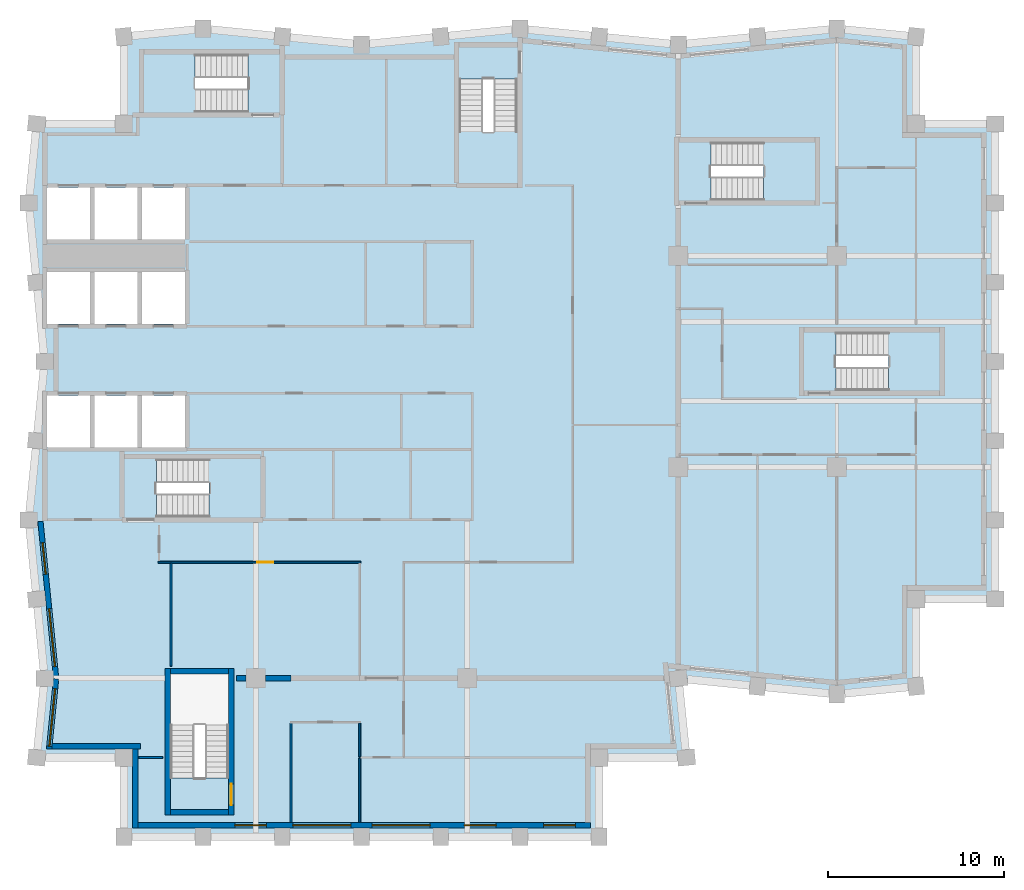
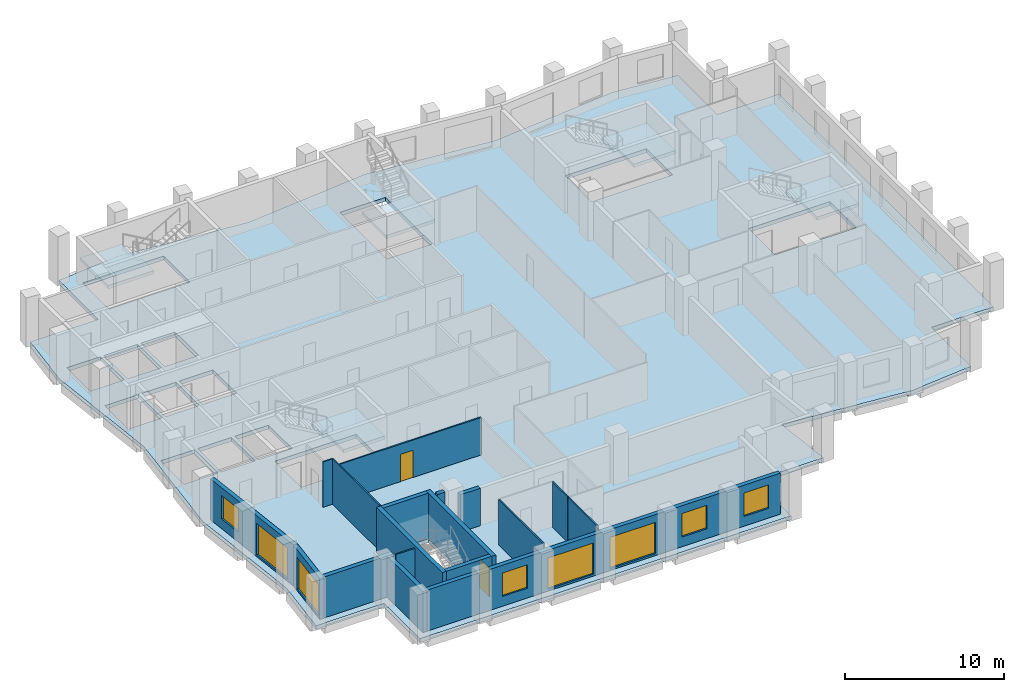
# One storey, part 2 of 8: 18 walls, 8 windows, 6 slabs, 2 doors, 10 openings, 5 elements without a shape of their own.
"""IFC4 building model written with IfcOpenShell, lengths in metres."""

from ifc_helpers import new_model, si_unit, direction, frame, frame_2d, origin, place, context, subcontext, project, spatial, polyline, rectangle, outline, extrude, material, layer, layer_set, type_object, element, fill, aggregate, save


model = new_model("IFC4")

# Units and contexts
model_context = context("Model", 3, precision=1e-05, world=origin(), true_north=direction((0.0, 1.0)))
body_context = subcontext(model_context, "Body", "Model", "MODEL_VIEW")
ifc_project = project(units=[si_unit("LENGTHUNIT", "METRE"), si_unit("AREAUNIT", "SQUARE_METRE"), si_unit("VOLUMEUNIT", "CUBIC_METRE"), si_unit("PLANEANGLEUNIT", "RADIAN"), si_unit("MASSUNIT", "GRAM", prefix="KILO")], contexts=[model_context])

# Site, building, storey
site_placement = place(None, origin())
site = spatial("IfcSite", under=ifc_project, at=site_placement, CompositionType="ELEMENT")
building_placement = place(site_placement, origin())
building = spatial("IfcBuilding", under=site, at=building_placement, Name="Brondeck Convention Tower", CompositionType="ELEMENT")
storey_placement = place(building_placement, frame((0.0, 0.0, 210.199951171875)))
storey = spatial("IfcBuildingStorey", under=building, at=storey_placement, Name="L51", CompositionType="ELEMENT", Elevation=210.199951171875)

# Slab
ifc_material_1 = material(Name="Concrete C35/45", Category="concrete")
ifc_layer_1 = layer(ifc_material_1, 0.300048828125)
ifc_layer_set_1 = layer_set([ifc_layer_1], Name="Composite floor slab 300")
slab_type_1 = type_object("IfcSlabType", Name="Composite floor slab 300", PredefinedType="FLOOR", material=ifc_layer_set_1)
slab_1_placement = place(storey_placement, frame((0.0, 0.0, -0.300048828125)))
element("IfcSlab", 1, at=slab_1_placement, inside=storey, type_object=slab_type_1, Name="STR-SL-L51", PredefinedType="FLOOR", context=body_context, shape_type="SweptSolid", body=[
    extrude(outline(polyline([(4.5, 22.5), (-0.449951171875, 22.5), (0.0, 27.0), (-0.89990234375, 36.0), (0.0, 45.0), (-0.89990234375, 54.0), (-0.449951171875, 58.5), (4.5, 58.5), (4.5, 63.449951171875), (9.0, 63.89990234375), (18.0, 63.0), (27.0, 63.89990234375), (36.0, 63.0), (45.0, 63.89990234375), (49.5, 63.449951171875), (49.5, 58.5), (54.0, 58.5), (54.0, 31.5), (49.5, 31.5), (49.5, 26.550048828125), (45.0, 26.10009765625), (36.0, 27.0), (36.449951171875, 22.5), (31.5, 22.5), (31.5, 18.0), (4.5, 18.0), (4.5, 22.5)]), holes=[polyline([(2.574951171875, 43.074951171875), (0.125, 43.074951171875), (0.125, 40.125), (2.574951171875, 40.125), (2.574951171875, 43.074951171875)]), polyline([(5.27490234375, 40.125), (5.27490234375, 43.074951171875), (2.824951171875, 43.074951171875), (2.824951171875, 40.125), (5.27490234375, 40.125)]), polyline([(7.97509765625, 40.125), (7.97509765625, 43.074951171875), (5.52490234375, 43.074951171875), (5.52490234375, 40.125), (7.97509765625, 40.125)]), polyline([(2.574951171875, 47.125), (2.574951171875, 50.074951171875), (0.125, 50.074951171875), (0.125, 47.125), (2.574951171875, 47.125)]), polyline([(5.27490234375, 47.125), (5.27490234375, 50.074951171875), (2.824951171875, 50.074951171875), (2.824951171875, 47.125), (5.27490234375, 47.125)]), polyline([(7.97509765625, 47.125), (7.97509765625, 50.074951171875), (5.52490234375, 50.074951171875), (5.52490234375, 47.125), (7.97509765625, 47.125)]), polyline([(2.574951171875, 51.925048828125), (2.574951171875, 54.875), (0.125, 54.875), (0.125, 51.925048828125), (2.574951171875, 51.925048828125)]), polyline([(5.27490234375, 51.925048828125), (5.27490234375, 54.875), (2.824951171875, 54.875), (2.824951171875, 51.925048828125), (5.27490234375, 51.925048828125)]), polyline([(10.447998046875, 27.248046875), (7.152099609375, 27.248046875), (7.152099609375, 21.35205078125), (10.447998046875, 21.35205078125), (10.447998046875, 27.248046875)]), polyline([(12.248046875, 36.152099609375), (12.248046875, 39.447998046875), (6.35205078125, 39.447998046875), (6.35205078125, 36.152099609375), (12.248046875, 36.152099609375)]), polyline([(50.847900390625, 43.35205078125), (50.847900390625, 46.64794921875), (44.951904296875, 46.64794921875), (44.951904296875, 43.35205078125), (50.847900390625, 43.35205078125)]), polyline([(7.97509765625, 51.925048828125), (7.97509765625, 54.875), (5.52490234375, 54.875), (5.52490234375, 51.925048828125), (7.97509765625, 51.925048828125)]), polyline([(43.748046875, 54.152099609375), (43.748046875, 57.447998046875), (37.85205078125, 57.447998046875), (37.85205078125, 54.152099609375), (43.748046875, 54.152099609375)]), polyline([(23.552001953125, 55.152099609375), (26.847900390625, 55.152099609375), (26.847900390625, 61.048095703125), (23.552001953125, 61.048095703125), (23.552001953125, 55.152099609375)]), polyline([(5.652099609375, 62.447998046875), (5.652099609375, 59.152099609375), (11.548095703125, 59.152099609375), (11.548095703125, 62.447998046875), (5.652099609375, 62.447998046875)])]), origin(), (0.0, 0.0, 1.0), 0.300048828125),
])

# Stair, slab
ifc_material_2 = material(Name="Precast concrete C50/60", Category="concrete")
stair_type = type_object("IfcStairType", Name="Core stair 22 risers 172.73 mm riser 300 mm going 1350 wide", PredefinedType="HALF_TURN_STAIR", material=ifc_material_2)
stair_1_placement = place(storey_placement, origin())
stair_1 = element("IfcStair", 2, at=stair_1_placement, inside=storey, type_object=stair_type, Name="ST-1 L51 stair", PredefinedType="HALF_TURN_STAIR")
ifc_layer_2 = layer(ifc_material_2, 0.25)
ifc_layer_set_2 = layer_set([ifc_layer_2], Name="Core stair landing 250 Precast concrete C50/60")
slab_type_2 = type_object("IfcSlabType", Name="Core stair landing 250 Precast concrete C50/60", PredefinedType="LANDING", material=ifc_layer_set_2)
slab_2_placement = place(storey_placement, frame((0.0, 0.0, 1.650146484375)))
slab_2 = element("IfcSlab", 3, at=slab_2_placement, type_object=slab_type_2, Name="ST-1 landing 1", PredefinedType="LANDING", context=body_context, shape_type="SweptSolid", body=[
    extrude(outline(polyline([(9.347900390625, 37.5), (9.35009765625, 37.5), (9.35009765625, 38.10009765625), (9.050048828125, 38.10009765625), (9.050048828125, 39.570068359375), (12.3701171875, 39.570068359375), (12.3701171875, 36.030029296875), (9.347900390625, 36.030029296875), (9.347900390625, 37.5)])), origin(), (0.0, 0.0, 1.0), 0.25),
])
aggregate(stair_1, [slab_2])

stair_2_placement = place(storey_placement, origin())
stair_2 = element("IfcStair", 4, at=stair_2_placement, inside=storey, type_object=stair_type, Name="ST-2 L51 stair", PredefinedType="HALF_TURN_STAIR")
slab_3_placement = place(storey_placement, frame((0.0, 0.0, 1.650146484375)))
slab_3 = element("IfcSlab", 5, at=slab_3_placement, type_object=slab_type_2, Name="ST-2 landing 1", PredefinedType="LANDING", context=body_context, shape_type="SweptSolid", body=[
    extrude(outline(polyline([(23.429931640625, 58.052001953125), (24.89990234375, 58.052001953125), (24.89990234375, 58.050048828125), (25.5, 58.050048828125), (25.5, 58.35009765625), (26.969970703125, 58.35009765625), (26.969970703125, 55.030029296875), (23.429931640625, 55.030029296875), (23.429931640625, 58.052001953125)])), origin(), (0.0, 0.0, 1.0), 0.25),
])
aggregate(stair_2, [slab_3])

stair_3_placement = place(storey_placement, origin())
stair_3 = element("IfcStair", 6, at=stair_3_placement, inside=storey, type_object=stair_type, Name="ST-3 L51 stair", PredefinedType="HALF_TURN_STAIR")
slab_4_placement = place(storey_placement, frame((0.0, 0.0, 1.650146484375)))
slab_4 = element("IfcSlab", 7, at=slab_4_placement, type_object=slab_type_2, Name="ST-3 landing 1", PredefinedType="LANDING", context=body_context, shape_type="SweptSolid", body=[
    extrude(outline(polyline([(8.85009765625, 60.5), (8.85009765625, 59.030029296875), (5.530029296875, 59.030029296875), (5.530029296875, 62.570068359375), (8.552001953125, 62.570068359375), (8.552001953125, 61.10009765625), (8.550048828125, 61.10009765625), (8.550048828125, 60.5), (8.85009765625, 60.5)])), origin(), (0.0, 0.0, 1.0), 0.25),
])
aggregate(stair_3, [slab_4])

stair_4_placement = place(storey_placement, origin())
stair_4 = element("IfcStair", 8, at=stair_4_placement, inside=storey, type_object=stair_type, Name="ST-AE L51 stair", PredefinedType="HALF_TURN_STAIR")
slab_5_placement = place(storey_placement, frame((0.0, 0.0, 1.650146484375)))
slab_5 = element("IfcSlab", 9, at=slab_5_placement, type_object=slab_type_2, Name="ST-AE landing 1", PredefinedType="LANDING", context=body_context, shape_type="SweptSolid", body=[
    extrude(outline(polyline([(40.847900390625, 55.5), (40.85009765625, 55.5), (40.85009765625, 56.10009765625), (40.550048828125, 56.10009765625), (40.550048828125, 57.570068359375), (43.8701171875, 57.570068359375), (43.8701171875, 54.030029296875), (40.847900390625, 54.030029296875), (40.847900390625, 55.5)])), origin(), (0.0, 0.0, 1.0), 0.25),
])
aggregate(stair_4, [slab_5])

stair_5_placement = place(storey_placement, origin())
stair_5 = element("IfcStair", 10, at=stair_5_placement, inside=storey, type_object=stair_type, Name="ST-AF L51 stair", PredefinedType="HALF_TURN_STAIR")
slab_6_placement = place(storey_placement, frame((0.0, 0.0, 1.650146484375)))
slab_6 = element("IfcSlab", 11, at=slab_6_placement, type_object=slab_type_2, Name="ST-AF landing 1", PredefinedType="LANDING", context=body_context, shape_type="SweptSolid", body=[
    extrude(outline(polyline([(47.947998046875, 44.699951171875), (47.949951171875, 44.699951171875), (47.949951171875, 45.300048828125), (47.64990234375, 45.300048828125), (47.64990234375, 46.77001953125), (50.969970703125, 46.77001953125), (50.969970703125, 43.22998046875), (47.947998046875, 43.22998046875), (47.947998046875, 44.699951171875)])), origin(), (0.0, 0.0, 1.0), 0.25),
])
aggregate(stair_5, [slab_6])

# Walls
ifc_material_3 = material(Name="Concrete compartment wall C30/37", Category="concrete")
ifc_layer_3 = layer(ifc_material_3, 0.300048828125)
ifc_layer_set_3 = layer_set([ifc_layer_3], Name="Compartment wall 300")
wall_type_1 = type_object("IfcWallType", Name="Compartment wall 300", PredefinedType="PARTITIONING", material=ifc_layer_set_3)
wall_1_placement = place(storey_placement, frame((10.89990234375, 27.0, 0.0), z_axis=(0.0, 0.0, 1.0), x_axis=(1.0, 0.0, 0.0)))
element("IfcWall", 12, at=wall_1_placement, inside=storey, type_object=wall_type_1, Name="FLR-L51-W013", PredefinedType="PARTITIONING", context=body_context, shape_type="SweptSolid", body=[
    extrude(rectangle(XDim=0.545166015625, YDim=0.300048828125, at=frame_2d((0.2724609375, 0.0))), origin(), (0.0, 0.0, 1.0), 3.47998046875),
])
wall_2_placement = place(storey_placement, frame((12.554931640625, 27.0, 0.0), z_axis=(0.0, 0.0, 1.0), x_axis=(1.0, 0.0, 0.0)))
element("IfcWall", 13, at=wall_2_placement, inside=storey, type_object=wall_type_1, Name="FLR-L51-W014", PredefinedType="PARTITIONING", context=body_context, shape_type="SweptSolid", body=[
    extrude(rectangle(XDim=1.445068359375, YDim=0.300048828125, at=frame_2d((0.72265625, 0.0))), origin(), (0.0, 0.0, 1.0), 2.880126953125),
])

# Wall, openings, windows
ifc_material_4 = material(Name="Precast concrete C50/60 bronze finish", Category="concrete")
ifc_layer_4 = layer(ifc_material_4, 0.070068359375, Name="Bronze precast facing")
ifc_material_5 = material(Name="Mineral wool")
ifc_layer_5 = layer(ifc_material_5, 0.159912109375, Name="Insulation")
ifc_layer_6 = layer(ifc_material_1, 0.070068359375, Name="Backing")
ifc_layer_set_4 = layer_set([ifc_layer_4, ifc_layer_5, ifc_layer_6], Name="External infill wall, precast concrete C50/60 bronze facing")
wall_type_2 = type_object("IfcWallType", Name="External infill wall, precast concrete C50/60 bronze facing", PredefinedType="SOLIDWALL", material=ifc_layer_set_4)
wall_3_placement = place(storey_placement, frame((31.0, 18.64990234375, 0.0), z_axis=(0.0, 0.0, 1.0), x_axis=(-1.0, 0.0, 0.0)))
wall_3 = element("IfcWall", 14, at=wall_3_placement, inside=storey, type_object=wall_type_2, Name="ENV-EW-L51-P2-B-S18-01", PredefinedType="SOLIDWALL", context=body_context, shape_type="SweptSolid", body=[
    extrude(rectangle(XDim=25.699951171875, YDim=0.300048828125, at=frame_2d((12.85009765625, 0.0))), origin(), (0.0, 0.0, 1.0), 3.150146484375),
])
opening_1_placement = place(wall_3_placement, frame((0.85009765625, 0.0, 0.75)))
opening_1 = element("IfcOpeningElement", 15, at=opening_1_placement, cuts=wall_3, Name="Opening W10", PredefinedType="OPENING", context=body_context, shape_type="SweptSolid", body=[
    extrude(rectangle(XDim=1.800048828125, YDim=1.800048828125, at=frame_2d((0.89990234375, 0.89990234375))), frame((0.0, 0.159912109375, 0.0), z_axis=(0.0, -1.0, 0.0), x_axis=(1.0, 0.0, 0.0)), (0.0, 0.0, 1.0), 0.320068359375),
])
opening_2_placement = place(wall_3_placement, frame((5.35009765625, 0.0, 0.75)))
opening_2 = element("IfcOpeningElement", 16, at=opening_2_placement, cuts=wall_3, Name="Opening W10", PredefinedType="OPENING", context=body_context, shape_type="SweptSolid", body=[
    extrude(rectangle(XDim=1.800048828125, YDim=1.800048828125, at=frame_2d((0.89990234375, 0.89990234375))), frame((0.0, 0.159912109375, 0.0), z_axis=(0.0, -1.0, 0.0), x_axis=(1.0, 0.0, 0.0)), (0.0, 0.0, 1.0), 0.320068359375),
])
opening_3_placement = place(wall_3_placement, frame((9.10009765625, 0.0, 0.14990234375)))
opening_3 = element("IfcOpeningElement", 17, at=opening_3_placement, cuts=wall_3, Name="Opening W9", PredefinedType="OPENING", context=body_context, shape_type="SweptSolid", body=[
    extrude(rectangle(XDim=3.300048828125, YDim=2.39990234375, at=frame_2d((1.64990234375, 1.199951171875))), frame((0.0, 0.159912109375, 0.0), z_axis=(0.0, -1.0, 0.0), x_axis=(1.0, 0.0, 0.0)), (0.0, 0.0, 1.0), 0.320068359375),
])
opening_4_placement = place(wall_3_placement, frame((13.60009765625, 0.0, 0.14990234375)))
opening_4 = element("IfcOpeningElement", 18, at=opening_4_placement, cuts=wall_3, Name="Opening W9", PredefinedType="OPENING", context=body_context, shape_type="SweptSolid", body=[
    extrude(rectangle(XDim=3.300048828125, YDim=2.39990234375, at=frame_2d((1.64990234375, 1.199951171875))), frame((0.0, 0.159912109375, 0.0), z_axis=(0.0, -1.0, 0.0), x_axis=(1.0, 0.0, 0.0)), (0.0, 0.0, 1.0), 0.320068359375),
])
opening_5_placement = place(wall_3_placement, frame((18.39990234375, 0.0, 0.75)))
opening_5 = element("IfcOpeningElement", 19, at=opening_5_placement, cuts=wall_3, Name="Opening W10", PredefinedType="OPENING", context=body_context, shape_type="SweptSolid", body=[
    extrude(rectangle(XDim=1.800048828125, YDim=1.800048828125, at=frame_2d((0.89990234375, 0.89990234375))), frame((0.0, 0.159912109375, 0.0), z_axis=(0.0, -1.0, 0.0), x_axis=(1.0, 0.0, 0.0)), (0.0, 0.0, 1.0), 0.320068359375),
])
ifc_material_6 = material(Name="Bronze tinted double glazing", Category="glass")
window_type_1 = type_object("IfcWindowType", Name="Glazed flute window, bronze tinted", PartitioningType="SINGLE_PANEL", PredefinedType="WINDOW", material=ifc_material_6)
window_1_placement = place(opening_3_placement, origin())
window_1 = element("IfcWindow", 20, at=window_1_placement, inside=storey, type_object=window_type_1, Name="ENV-WN-L51-P2-B-S18-04", OverallHeight=2.39990234375, OverallWidth=3.300048828125, PartitioningType="SINGLE_PANEL", PredefinedType="WINDOW", context=body_context, shape_type="SweptSolid", body=[
    extrude(rectangle(XDim=3.300048828125, YDim=2.39990234375, at=frame_2d((1.64990234375, 1.199951171875))), frame((0.0, 0.030029296875, 0.0), z_axis=(0.0, -1.0, 0.0), x_axis=(1.0, 0.0, 0.0)), (0.0, 0.0, 1.0), 0.06005859375),
])
fill(opening_3, window_1)
window_2_placement = place(opening_4_placement, origin())
window_2 = element("IfcWindow", 21, at=window_2_placement, inside=storey, type_object=window_type_1, Name="ENV-WN-L51-P2-B-S18-03", OverallHeight=2.39990234375, OverallWidth=3.300048828125, PartitioningType="SINGLE_PANEL", PredefinedType="WINDOW", context=body_context, shape_type="SweptSolid", body=[
    extrude(rectangle(XDim=3.300048828125, YDim=2.39990234375, at=frame_2d((1.64990234375, 1.199951171875))), frame((0.0, 0.030029296875, 0.0), z_axis=(0.0, -1.0, 0.0), x_axis=(1.0, 0.0, 0.0)), (0.0, 0.0, 1.0), 0.06005859375),
])
fill(opening_4, window_2)
window_type_2 = type_object("IfcWindowType", Name="Punched window, bronze tinted", PartitioningType="SINGLE_PANEL", PredefinedType="WINDOW", material=ifc_material_6)
window_3_placement = place(opening_1_placement, origin())
window_3 = element("IfcWindow", 22, at=window_3_placement, inside=storey, type_object=window_type_2, Name="ENV-WN-L51-P2-B-S18-06", OverallHeight=1.800048828125, OverallWidth=1.800048828125, PartitioningType="SINGLE_PANEL", PredefinedType="WINDOW", context=body_context, shape_type="SweptSolid", body=[
    extrude(rectangle(XDim=1.800048828125, YDim=1.800048828125, at=frame_2d((0.89990234375, 0.89990234375))), frame((0.0, 0.030029296875, 0.0), z_axis=(0.0, -1.0, 0.0), x_axis=(1.0, 0.0, 0.0)), (0.0, 0.0, 1.0), 0.06005859375),
])
fill(opening_1, window_3)
window_4_placement = place(opening_2_placement, origin())
window_4 = element("IfcWindow", 23, at=window_4_placement, inside=storey, type_object=window_type_2, Name="ENV-WN-L51-P2-B-S18-05", OverallHeight=1.800048828125, OverallWidth=1.800048828125, PartitioningType="SINGLE_PANEL", PredefinedType="WINDOW", context=body_context, shape_type="SweptSolid", body=[
    extrude(rectangle(XDim=1.800048828125, YDim=1.800048828125, at=frame_2d((0.89990234375, 0.89990234375))), frame((0.0, 0.030029296875, 0.0), z_axis=(0.0, -1.0, 0.0), x_axis=(1.0, 0.0, 0.0)), (0.0, 0.0, 1.0), 0.06005859375),
])
fill(opening_2, window_4)
window_5_placement = place(opening_5_placement, origin())
window_5 = element("IfcWindow", 24, at=window_5_placement, inside=storey, type_object=window_type_2, Name="ENV-WN-L51-P2-B-S18-02", OverallHeight=1.800048828125, OverallWidth=1.800048828125, PartitioningType="SINGLE_PANEL", PredefinedType="WINDOW", context=body_context, shape_type="SweptSolid", body=[
    extrude(rectangle(XDim=1.800048828125, YDim=1.800048828125, at=frame_2d((0.89990234375, 0.89990234375))), frame((0.0, 0.030029296875, 0.0), z_axis=(0.0, -1.0, 0.0), x_axis=(1.0, 0.0, 0.0)), (0.0, 0.0, 1.0), 0.06005859375),
])
fill(opening_5, window_5)

wall_4_placement = place(storey_placement, frame((0.65478515625, 26.985107421875, 0.0), z_axis=(0.0, 0.0, 1.0), x_axis=(-0.099509105781, 0.995036651519, 0.0)))
wall_4 = element("IfcWall", 25, at=wall_4_placement, inside=storey, type_object=wall_type_2, Name="ENV-EW-L51-P2-B-W-06", PredefinedType="SOLIDWALL", context=body_context, shape_type="SweptSolid", body=[
    extrude(rectangle(XDim=8.974609375, YDim=0.300048828125, at=frame_2d((4.4873046875, 0.0))), origin(), (0.0, 0.0, 1.0), 3.150146484375),
])
opening_6_placement = place(wall_4_placement, frame((0.691162109375, 0.0, 0.14990234375)))
opening_6 = element("IfcOpeningElement", 26, at=opening_6_placement, cuts=wall_4, Name="Opening W9", PredefinedType="OPENING", context=body_context, shape_type="SweptSolid", body=[
    extrude(rectangle(XDim=3.300048828125, YDim=2.39990234375, at=frame_2d((1.64990234375, 1.199951171875))), frame((0.0, 0.159912109375, 0.0), z_axis=(0.0, -1.0, 0.0), x_axis=(1.0, 0.0, 0.0)), (0.0, 0.0, 1.0), 0.320068359375),
])
opening_7_placement = place(wall_4_placement, frame((5.963623046875, 0.0, 0.75)))
opening_7 = element("IfcOpeningElement", 27, at=opening_7_placement, cuts=wall_4, Name="Opening W10", PredefinedType="OPENING", context=body_context, shape_type="SweptSolid", body=[
    extrude(rectangle(XDim=1.800048828125, YDim=1.800048828125, at=frame_2d((0.89990234375, 0.89990234375))), frame((0.0, 0.159912109375, 0.0), z_axis=(0.0, -1.0, 0.0), x_axis=(1.0, 0.0, 0.0)), (0.0, 0.0, 1.0), 0.320068359375),
])
window_6_placement = place(opening_6_placement, origin())
window_6 = element("IfcWindow", 28, at=window_6_placement, inside=storey, type_object=window_type_1, Name="ENV-WN-L51-P2-B-W-07", OverallHeight=2.39990234375, OverallWidth=3.300048828125, PartitioningType="SINGLE_PANEL", PredefinedType="WINDOW", context=body_context, shape_type="SweptSolid", body=[
    extrude(rectangle(XDim=3.300048828125, YDim=2.39990234375, at=frame_2d((1.64990234375, 1.199951171875))), frame((0.0, 0.030029296875, 0.0), z_axis=(0.0, -1.0, 0.0), x_axis=(1.0, 0.0, 0.0)), (0.0, 0.0, 1.0), 0.06005859375),
])
fill(opening_6, window_6)
window_7_placement = place(opening_7_placement, origin())
window_7 = element("IfcWindow", 29, at=window_7_placement, inside=storey, type_object=window_type_2, Name="ENV-WN-L51-P2-B-W-06", OverallHeight=1.800048828125, OverallWidth=1.800048828125, PartitioningType="SINGLE_PANEL", PredefinedType="WINDOW", context=body_context, shape_type="SweptSolid", body=[
    extrude(rectangle(XDim=1.800048828125, YDim=1.800048828125, at=frame_2d((0.89990234375, 0.89990234375))), frame((0.0, 0.030029296875, 0.0), z_axis=(0.0, -1.0, 0.0), x_axis=(1.0, 0.0, 0.0)), (0.0, 0.0, 1.0), 0.06005859375),
])
fill(opening_7, window_7)

# Wall, opening, window
wall_5_placement = place(storey_placement, frame((0.251708984375, 22.985107421875, 0.0), z_axis=(0.0, 0.0, 1.0), x_axis=(0.09954596771, 0.995032964435, 0.0)))
wall_5 = element("IfcWall", 30, at=wall_5_placement, inside=storey, type_object=wall_type_2, Name="ENV-EW-L51-P2-B-W-08", PredefinedType="SOLIDWALL", context=body_context, shape_type="SweptSolid", body=[
    extrude(rectangle(XDim=4.0048828125, YDim=0.300048828125, at=frame_2d((2.00244140625, 0.0))), origin(), (0.0, 0.0, 1.0), 3.150146484375),
])
opening_8_placement = place(wall_5_placement, frame((0.14990234375, 0.0, 0.14990234375)))
opening_8 = element("IfcOpeningElement", 31, at=opening_8_placement, cuts=wall_5, Name="Opening W9", PredefinedType="OPENING", context=body_context, shape_type="SweptSolid", body=[
    extrude(rectangle(XDim=3.300048828125, YDim=2.39990234375, at=frame_2d((1.64990234375, 1.199951171875))), frame((0.0, 0.159912109375, 0.0), z_axis=(0.0, -1.0, 0.0), x_axis=(1.0, 0.0, 0.0)), (0.0, 0.0, 1.0), 0.320068359375),
])
window_8_placement = place(opening_8_placement, origin())
window_8 = element("IfcWindow", 32, at=window_8_placement, inside=storey, type_object=window_type_1, Name="ENV-WN-L51-P2-B-W-08", OverallHeight=2.39990234375, OverallWidth=3.300048828125, PartitioningType="SINGLE_PANEL", PredefinedType="WINDOW", context=body_context, shape_type="SweptSolid", body=[
    extrude(rectangle(XDim=3.300048828125, YDim=2.39990234375, at=frame_2d((1.64990234375, 1.199951171875))), frame((0.0, 0.030029296875, 0.0), z_axis=(0.0, -1.0, 0.0), x_axis=(1.0, 0.0, 0.0)), (0.0, 0.0, 1.0), 0.06005859375),
])
fill(opening_8, window_8)

# Walls
wall_6_placement = place(storey_placement, frame((5.449951171875, 23.14990234375, 0.0), z_axis=(0.0, 0.0, 1.0), x_axis=(-1.0, 0.0, 0.0)))
element("IfcWall", 33, at=wall_6_placement, inside=storey, type_object=wall_type_2, Name="ENV-EW-L51-P2-NC-SWB18-01", PredefinedType="SOLIDWALL", context=body_context, shape_type="SweptSolid", body=[
    extrude(rectangle(XDim=5.025634765625, YDim=0.300048828125, at=frame_2d((2.5126953125, 0.0))), origin(), (0.0, 0.0, 1.0), 3.150146484375),
])
wall_7_placement = place(storey_placement, frame((5.14990234375, 18.5, 0.0), z_axis=(0.0, 0.0, 1.0), x_axis=(0.0, 1.0, 0.0)))
element("IfcWall", 34, at=wall_7_placement, inside=storey, type_object=wall_type_2, Name="ENV-EW-L51-P2-NC-SWB18-02", PredefinedType="SOLIDWALL", context=body_context, shape_type="SweptSolid", body=[
    extrude(rectangle(XDim=4.5, YDim=0.300048828125, at=frame_2d((2.25, 0.0))), origin(), (0.0, 0.0, 1.0), 3.150146484375),
])
ifc_material_7 = material(Name="Gypsum board partition on steel studs", Category="steel")
ifc_layer_7 = layer(ifc_material_7, 0.10009765625)
ifc_layer_set_5 = layer_set([ifc_layer_7], Name="Room partition 100")
wall_type_3 = type_object("IfcWallType", Name="Room partition 100", PredefinedType="PARTITIONING", material=ifc_layer_set_5)
wall_8_placement = place(storey_placement, frame((17.89990234375, 22.449951171875, 0.0), z_axis=(0.0, 0.0, 1.0), x_axis=(0.0, -1.0, 0.0)))
element("IfcWall", 35, at=wall_8_placement, inside=storey, type_object=wall_type_3, Name="FLR-L51-W001", PredefinedType="PARTITIONING", context=body_context, shape_type="SweptSolid", body=[
    extrude(rectangle(XDim=3.6298828125, YDim=0.10009765625, at=frame_2d((1.81494140625, 0.0))), origin(), (0.0, 0.0, 1.0), 3.47998046875),
])
wall_9_placement = place(storey_placement, frame((5.35009765625, 22.5, 0.0), z_axis=(0.0, 0.0, 1.0), x_axis=(1.0, 0.0, 0.0)))
element("IfcWall", 36, at=wall_9_placement, inside=storey, type_object=wall_type_3, Name="FLR-L51-W002", PredefinedType="PARTITIONING", context=body_context, shape_type="SweptSolid", body=[
    extrude(rectangle(XDim=1.349853515625, YDim=0.10009765625, at=frame_2d((0.6748046875, 0.0))), origin(), (0.0, 0.0, 1.0), 3.47998046875),
])
wall_10_placement = place(storey_placement, frame((17.89990234375, 22.550048828125, 0.0), z_axis=(0.0, 0.0, 1.0), x_axis=(0.0, 1.0, 0.0)))
element("IfcWall", 37, at=wall_10_placement, inside=storey, type_object=wall_type_3, Name="FLR-L51-W006", PredefinedType="PARTITIONING", context=body_context, shape_type="SweptSolid", body=[
    extrude(rectangle(XDim=1.89990234375, YDim=0.10009765625, at=frame_2d((0.949951171875, 0.0))), origin(), (0.0, 0.0, 1.0), 3.47998046875),
])
wall_11_placement = place(storey_placement, frame((14.0, 24.449951171875, 0.0), z_axis=(0.0, 0.0, 1.0), x_axis=(0.0, -1.0, 0.0)))
element("IfcWall", 38, at=wall_11_placement, inside=storey, type_object=wall_type_3, Name="FLR-L51-W009", PredefinedType="PARTITIONING", context=body_context, shape_type="SweptSolid", body=[
    extrude(rectangle(XDim=5.6298828125, YDim=0.10009765625, at=frame_2d((2.81494140625, 0.0))), origin(), (0.0, 0.0, 1.0), 3.47998046875),
])
wall_12_placement = place(storey_placement, frame((7.172119140625, 33.550048828125, 0.0), z_axis=(0.0, 0.0, 1.0), x_axis=(0.0, -1.0, 0.0)))
element("IfcWall", 39, at=wall_12_placement, inside=storey, type_object=wall_type_3, Name="FLR-L51-W024", PredefinedType="PARTITIONING", context=body_context, shape_type="SweptSolid", body=[
    extrude(rectangle(XDim=5.85009765625, YDim=0.10009765625, at=frame_2d((2.925048828125, 0.0))), origin(), (0.0, 0.0, 1.0), 3.47998046875),
])
wall_13_placement = place(storey_placement, frame((7.172119140625, 33.60009765625, 0.0), z_axis=(0.0, 0.0, 1.0), x_axis=(-1.0, 0.0, 0.0)))
element("IfcWall", 40, at=wall_13_placement, inside=storey, type_object=wall_type_3, Name="FLR-L51-W026", PredefinedType="PARTITIONING", context=body_context, shape_type="SweptSolid", body=[
    extrude(rectangle(XDim=0.72216796875, YDim=0.10009765625, at=frame_2d((0.361083984375, 0.0))), origin(), (0.0, 0.0, 1.0), 3.47998046875),
])

# Wall, opening, door
wall_14_placement = place(storey_placement, frame((17.949951171875, 33.60009765625, 0.0), z_axis=(0.0, 0.0, 1.0), x_axis=(-1.0, 0.0, 0.0)))
wall_14 = element("IfcWall", 41, at=wall_14_placement, inside=storey, type_object=wall_type_3, Name="FLR-L51-W027", PredefinedType="PARTITIONING", context=body_context, shape_type="SweptSolid", body=[
    extrude(rectangle(XDim=10.77783203125, YDim=0.10009765625, at=frame_2d((5.388916015625, 0.0))), origin(), (0.0, 0.0, 1.0), 2.880126953125),
])
opening_9_placement = place(wall_14_placement, frame((4.964111328125, 0.0, 0.0)))
opening_9 = element("IfcOpeningElement", 42, at=opening_9_placement, cuts=wall_14, Name="Opening OF-L-012", PredefinedType="OPENING", context=body_context, shape_type="SweptSolid", body=[
    extrude(rectangle(XDim=0.89990234375, YDim=2.10009765625, at=frame_2d((0.449951171875, 1.050048828125))), frame((0.0, 0.06005859375, 0.0), z_axis=(0.0, -1.0, 0.0), x_axis=(1.0, 0.0, 0.0)), (0.0, 0.0, 1.0), 0.1201171875),
])
ifc_material_8 = material(Name="Solid timber door leaf", Category="wood")
door_type_1 = type_object("IfcDoorType", Name="Single door 900", OperationType="NOTDEFINED", PredefinedType="DOOR", material=ifc_material_8)
door_1_placement = place(opening_9_placement, origin())
door_1 = element("IfcDoor", 43, at=door_1_placement, inside=storey, type_object=door_type_1, Name="Door OF-L-012", OperationType="SINGLE_SWING_LEFT", OverallHeight=2.10009765625, OverallWidth=0.89990234375, PredefinedType="DOOR", context=body_context, shape_type="SweptSolid", body=[
    extrude(rectangle(XDim=0.89990234375, YDim=2.10009765625, at=frame_2d((0.449951171875, 1.050048828125))), frame((0.0, 0.02490234375, 0.0), z_axis=(0.0, -1.0, 0.0), x_axis=(1.0, 0.0, 0.0)), (0.0, 0.0, 1.0), 0.050048828125),
])
fill(opening_9, door_1)

# Walls
ifc_material_9 = material(Name="Concrete C50/60", Category="concrete")
ifc_layer_8 = layer(ifc_material_9, 0.300048828125)
ifc_layer_set_6 = layer_set([ifc_layer_8], Name="Stair enclosure wall 300 Concrete C50/60")
wall_type_4 = type_object("IfcWallType", Name="Stair enclosure wall 300 Concrete C50/60", PredefinedType="SHEAR", material=ifc_layer_set_6)
for number, where, z_axis, x_axis, name in (
    (44, (7.14990234375, 19.39990234375, 0.0), (0.0, 0.0, 1.0), (1.0, 0.0, 0.0), "L51 core wall"),
    (45, (7.14990234375, 27.39990234375, 0.0), (0.0, 0.0, 1.0), (1.0, 0.0, 0.0), "L51 core wall"),
):
    element("IfcWall", number, at=place(storey_placement, frame(where, z_axis=z_axis, x_axis=x_axis)), inside=storey, type_object=wall_type_4, Name=name, PredefinedType="SHEAR", context=body_context, shape_type="SweptSolid", body=[
        extrude(rectangle(XDim=3.300048828125, YDim=0.300048828125, at=frame_2d((1.64990234375, 0.0))), origin(), (0.0, 0.0, 1.0), 3.5),
    ])
wall_15_placement = place(storey_placement, frame((7.0, 19.25, 0.0), z_axis=(0.0, 0.0, 1.0), x_axis=(0.0, 1.0, 0.0)))
element("IfcWall", 46, at=wall_15_placement, inside=storey, type_object=wall_type_4, Name="L51 core wall", PredefinedType="SHEAR", context=body_context, shape_type="SweptSolid", body=[
    extrude(rectangle(XDim=8.300048828125, YDim=0.300048828125, at=frame_2d((4.14990234375, 0.0))), origin(), (0.0, 0.0, 1.0), 3.5),
])

# Wall, opening, door
wall_16_placement = place(storey_placement, frame((10.60009765625, 19.25, 0.0), z_axis=(0.0, 0.0, 1.0), x_axis=(0.0, 1.0, 0.0)))
wall_16 = element("IfcWall", 47, at=wall_16_placement, inside=storey, type_object=wall_type_4, Name="L51 core wall", PredefinedType="SHEAR", context=body_context, shape_type="SweptSolid", body=[
    extrude(rectangle(XDim=8.300048828125, YDim=0.300048828125, at=frame_2d((4.14990234375, 0.0))), origin(), (0.0, 0.0, 1.0), 3.5),
])
opening_10_placement = place(wall_16_placement, frame((0.550048828125, 0.0, 0.0)))
opening_10 = element("IfcOpeningElement", 48, at=opening_10_placement, cuts=wall_16, Name="Opening C29-18", PredefinedType="OPENING", context=body_context, shape_type="SweptSolid", body=[
    extrude(rectangle(XDim=1.199951171875, YDim=2.199951171875, at=frame_2d((0.60009765625, 1.10009765625))), frame((0.0, 0.159912109375, 0.0), z_axis=(0.0, -1.0, 0.0), x_axis=(1.0, 0.0, 0.0)), (0.0, 0.0, 1.0), 0.320068359375),
])
ifc_material_10 = material(Name="Steel fire door", Category="steel")
door_type_2 = type_object("IfcDoorType", Name="Stair door 1200x2200 EI 90", OperationType="NOTDEFINED", PredefinedType="DOOR", material=ifc_material_10)
door_2_placement = place(opening_10_placement, origin())
door_2 = element("IfcDoor", 49, at=door_2_placement, inside=storey, type_object=door_type_2, Name="L51 Stair door ST-BE", OperationType="SINGLE_SWING_RIGHT", OverallHeight=2.199951171875, OverallWidth=1.199951171875, PredefinedType="DOOR", context=body_context, shape_type="SweptSolid", body=[
    extrude(rectangle(XDim=1.199951171875, YDim=2.199951171875, at=frame_2d((0.60009765625, 1.10009765625))), frame((0.0, 0.02490234375, 0.0), z_axis=(0.0, -1.0, 0.0), x_axis=(1.0, 0.0, 0.0)), (0.0, 0.0, 1.0), 0.050048828125),
])
fill(opening_10, door_2)

save(model, "model.ifc")
